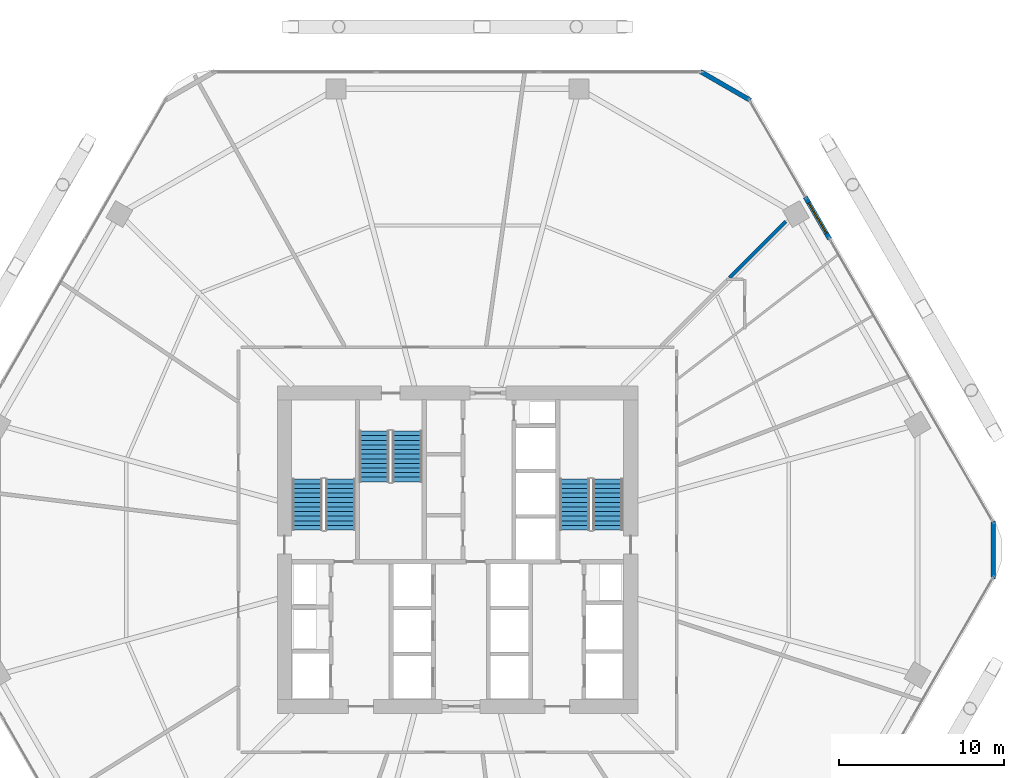
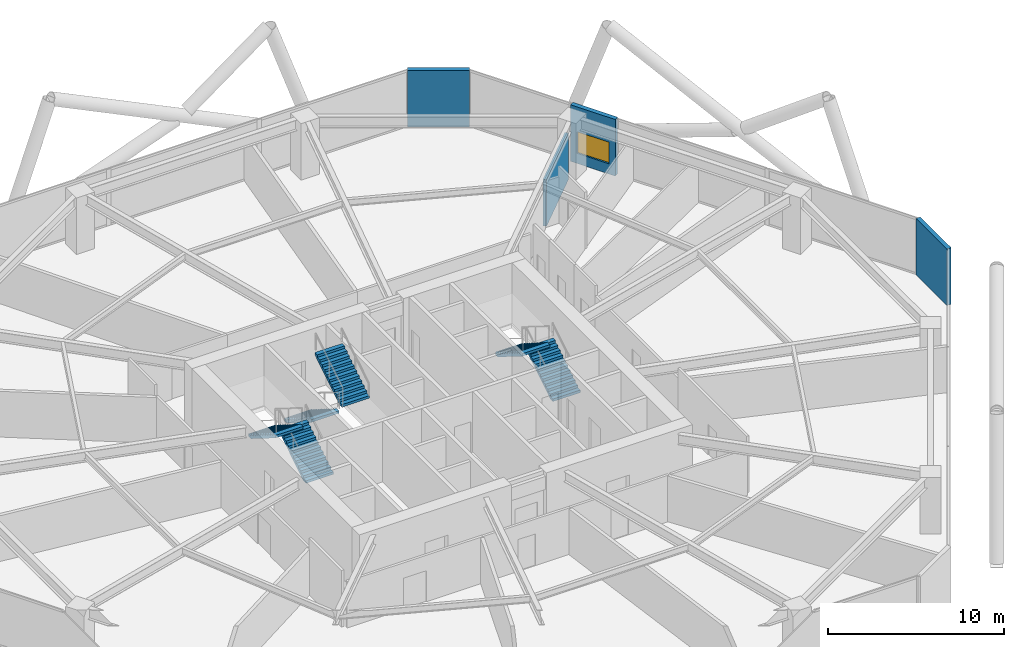
# One storey, part 27 of 28: 6 stair flights, 4 walls, 1 window, 1 opening, 3 elements without a shape of their own.
"""IFC4 building model written with IfcOpenShell, lengths in metres."""

from ifc_helpers import new_model, si_unit, direction, frame, frame_2d, origin, place, context, subcontext, project, spatial, polyline, rectangle, outline, extrude, material, layer, layer_set, type_object, element, fill, aggregate, save


model = new_model("IFC4")

# Units and contexts
model_context = context("Model", 3, precision=1e-05, world=origin(), true_north=direction((0.0, 1.0)))
body_context = subcontext(model_context, "Body", "Model", "MODEL_VIEW")
ifc_project = project(units=[si_unit("LENGTHUNIT", "METRE"), si_unit("AREAUNIT", "SQUARE_METRE"), si_unit("VOLUMEUNIT", "CUBIC_METRE"), si_unit("PLANEANGLEUNIT", "RADIAN"), si_unit("MASSUNIT", "GRAM", prefix="KILO")], contexts=[model_context])

# Site, building, storey
site_placement = place(None, origin())
site = spatial("IfcSite", under=ifc_project, at=site_placement, CompositionType="ELEMENT")
building_placement = place(site_placement, origin())
building = spatial("IfcBuilding", under=site, at=building_placement, Name="Zuhravey Tower", CompositionType="ELEMENT")
storey_placement = place(building_placement, frame((0.0, 0.0, 24.60009765625)))
storey = spatial("IfcBuildingStorey", under=building, at=storey_placement, Name="L06", CompositionType="ELEMENT", Elevation=24.60009765625)

# Wall
ifc_material_1 = material(Name="Precast concrete C40/50", Category="concrete")
ifc_layer_1 = layer(ifc_material_1, 0.280029296875)
ifc_layer_set_1 = layer_set([ifc_layer_1], Name="Precast concrete C40/50")
wall_type_1 = type_object("IfcWallType", Name="Crown Architectural Wall 280", PredefinedType="SOLIDWALL", material=ifc_layer_set_1)
wall_1_placement = place(storey_placement, frame((50.71728515625, 61.006103515625, 0.0), z_axis=(0.0, 0.0, 1.0), x_axis=(0.866007452331, -0.500031091541, 0.0)))
element("IfcWall", 1, at=wall_1_placement, inside=storey, type_object=wall_type_1, Name="L06 Rounded Corner Closure Wall EW28-10", PredefinedType="SOLIDWALL", context=body_context, shape_type="SweptSolid", body=[
    extrude(rectangle(XDim=3.514892578125, YDim=0.280029296875, at=frame_2d((1.75732421875, 0.0))), origin(), (0.0, 0.0, 1.0), 3.919921875),
])

# Wall, opening, window
wall_2_placement = place(storey_placement, frame((57.087890625, 53.3916015625, 0.0), z_axis=(0.0, 0.0, 1.0), x_axis=(0.500024377727, -0.866011328839, 0.0)))
wall_2 = element("IfcWall", 2, at=wall_2_placement, inside=storey, type_object=wall_type_1, Name="L06 Face 1 Facade Pier EW28-1", PredefinedType="SOLIDWALL", context=body_context, shape_type="SweptSolid", body=[
    extrude(rectangle(XDim=2.939697265625, YDim=0.280029296875, at=frame_2d((1.4697265625, 0.0))), origin(), (0.0, 0.0, 1.0), 3.919921875),
])
opening_placement = place(wall_2_placement, frame((0.419921875, 0.0, 0.699951171875)))
opening = element("IfcOpeningElement", 3, at=opening_placement, cuts=wall_2, Name="Opening WN3", PredefinedType="OPENING", context=body_context, shape_type="SweptSolid", body=[
    extrude(rectangle(XDim=2.10009765625, YDim=1.5, at=frame_2d((1.050048828125, 0.75))), frame((0.0, 0.152099609375, 0.0), z_axis=(0.0, -1.0, 0.0), x_axis=(1.0, 0.0, 0.0)), (0.0, 0.0, 1.0), 0.303955078125),
])
ifc_material_2 = material(Name="Thermally broken aluminium and triple low-E glass", Category="aluminium")
window_type = type_object("IfcWindowType", Name="School Pavilion Window 2100x1500", PartitioningType="SINGLE_PANEL", PredefinedType="WINDOW", material=ifc_material_2)
window_placement = place(opening_placement, origin())
window = element("IfcWindow", 4, at=window_placement, inside=storey, type_object=window_type, Name="L06 Face 1 Feature Window", OverallHeight=1.5, OverallWidth=2.10009765625, PartitioningType="SINGLE_PANEL", PredefinedType="WINDOW", context=body_context, shape_type="SweptSolid", body=[
    extrude(rectangle(XDim=2.10009765625, YDim=1.5, at=frame_2d((1.050048828125, 0.75))), frame((0.0, 0.030029296875, 0.0), z_axis=(0.0, -1.0, 0.0), x_axis=(1.0, 0.0, 0.0)), (0.0, 0.0, 1.0), 0.06005859375),
])
fill(opening, window)

# Walls
wall_3_placement = place(storey_placement, frame((68.478515625, 33.757568359375, 0.0), z_axis=(0.0, 0.0, 1.0), x_axis=(0.0, -1.0, 0.0)))
element("IfcWall", 5, at=wall_3_placement, inside=storey, type_object=wall_type_1, Name="L06 Rounded Corner Closure Wall EW28-12", PredefinedType="SOLIDWALL", context=body_context, shape_type="SweptSolid", body=[
    extrude(rectangle(XDim=3.51513671875, YDim=0.280029296875, at=frame_2d((1.757568359375, 0.0))), origin(), (0.0, 0.0, 1.0), 3.919921875),
])
ifc_material_3 = material(Name="Gypsum acoustic stud assembly")
ifc_layer_2 = layer(ifc_material_3, 0.219970703125)
ifc_layer_set_2 = layer_set([ifc_layer_2], Name="Gypsum acoustic stud assembly")
wall_type_2 = type_object("IfcWallType", Name="School Acoustic Compartment Wall 220", PredefinedType="PARTITIONING", material=ifc_layer_set_2)
wall_4_placement = place(storey_placement, frame((52.492919921875, 48.492919921875, 0.0), z_axis=(0.0, 0.0, 1.0), x_axis=(0.707106781187, 0.707106781187, 0.0)))
element("IfcWall", 6, at=wall_4_placement, inside=storey, type_object=wall_type_2, Name="L06 IW22 Partition 049", PredefinedType="PARTITIONING", context=body_context, shape_type="SweptSolid", body=[
    extrude(rectangle(XDim=4.81689453125, YDim=0.219970703125, at=frame_2d((2.408447265625, 0.0))), origin(), (0.0, 0.0, 1.0), 3.219970703125),
])

# Stair, stair flights
ifc_material_4 = material(Name="Concrete C40/50", Category="concrete")
stair_type = type_object("IfcStairType", Name="School Storey Stair Assembly 4200", PredefinedType="HALF_TURN_STAIR", material=ifc_material_4)
stair_1_placement = place(storey_placement, origin())
stair_1 = element("IfcStair", 7, at=stair_1_placement, inside=storey, type_object=stair_type, Name="L06 Core Exit Stair ST1", PredefinedType="HALF_TURN_STAIR")
stair_flight_type = type_object("IfcStairFlightType", Name="School Storey Stair Flight 4200", PredefinedType="STRAIGHT", material=ifc_material_4)
stair_flight_1_placement = place(storey_placement, frame((28.89990234375, 33.199951171875, 0.0), z_axis=(0.0, 0.0, 1.0), x_axis=(0.0, 1.0, 0.0)))
stair_flight_1 = element("IfcStairFlight", 8, at=stair_flight_1_placement, type_object=stair_flight_type, Name="ST1 flight 1", NumberOfRisers=12, NumberOfTreads=11, PredefinedType="STRAIGHT", RiserHeight=0.175, TreadLength=0.28, context=body_context, shape_type="SweptSolid", body=[
    extrude(outline(polyline([(0.0, 0.0), (0.0, 0.175048828125), (0.280029296875, 0.175048828125), (0.280029296875, 0.35009765625), (0.56005859375, 0.35009765625), (0.56005859375, 0.52490234375), (0.840087890625, 0.52490234375), (0.840087890625, 0.699951171875), (1.1201171875, 0.699951171875), (1.1201171875, 0.875), (1.39990234375, 0.875), (1.39990234375, 1.050048828125), (1.679931640625, 1.050048828125), (1.679931640625, 1.22509765625), (1.9599609375, 1.22509765625), (1.9599609375, 1.39990234375), (2.239990234375, 1.39990234375), (2.239990234375, 1.574951171875), (2.52001953125, 1.574951171875), (2.52001953125, 1.75), (2.800048828125, 1.75), (2.800048828125, 1.925048828125), (3.080078125, 1.925048828125), (3.080078125, 2.10009765625), (3.080078125, 1.748291015625), (0.28271484375, 0.0), (0.0, 0.0)])), frame((0.0, 0.89990234375, 0.0), z_axis=(0.0, -1.0, 0.0), x_axis=(1.0, 0.0, 0.0)), (0.0, 0.0, 1.0), 1.800048828125),
])
stair_flight_2_placement = place(storey_placement, frame((26.89990234375, 36.280029296875, 2.099853515625), z_axis=(0.0, 0.0, 1.0), x_axis=(0.0, -1.0, 0.0)))
stair_flight_2 = element("IfcStairFlight", 9, at=stair_flight_2_placement, type_object=stair_flight_type, Name="ST1 flight 2", NumberOfRisers=12, NumberOfTreads=11, PredefinedType="STRAIGHT", RiserHeight=0.175, TreadLength=0.28, context=body_context, shape_type="SweptSolid", body=[
    extrude(outline(polyline([(0.0, 0.0), (0.0, 0.175048828125), (0.280029296875, 0.175048828125), (0.280029296875, 0.35009765625), (0.56005859375, 0.35009765625), (0.56005859375, 0.52490234375), (0.840087890625, 0.52490234375), (0.840087890625, 0.699951171875), (1.1201171875, 0.699951171875), (1.1201171875, 0.875), (1.39990234375, 0.875), (1.39990234375, 1.050048828125), (1.679931640625, 1.050048828125), (1.679931640625, 1.22509765625), (1.9599609375, 1.22509765625), (1.9599609375, 1.39990234375), (2.239990234375, 1.39990234375), (2.239990234375, 1.574951171875), (2.52001953125, 1.574951171875), (2.52001953125, 1.75), (2.800048828125, 1.75), (2.800048828125, 1.925048828125), (3.080078125, 1.925048828125), (3.080078125, 2.10009765625), (3.080078125, 1.748291015625), (0.28271484375, 0.0), (0.0, 0.0)])), frame((0.0, 0.89990234375, 0.0), z_axis=(0.0, -1.0, 0.0), x_axis=(1.0, 0.0, 0.0)), (0.0, 0.0, 1.0), 1.800048828125),
])
aggregate(stair_1, [stair_flight_1, stair_flight_2])

stair_2_placement = place(storey_placement, origin())
stair_2 = element("IfcStair", 10, at=stair_2_placement, inside=storey, type_object=stair_type, Name="L06 Core Exit Stair ST2", PredefinedType="HALF_TURN_STAIR")
stair_flight_3_placement = place(storey_placement, frame((45.10009765625, 33.199951171875, 0.0), z_axis=(0.0, 0.0, 1.0), x_axis=(0.0, 1.0, 0.0)))
stair_flight_3 = element("IfcStairFlight", 11, at=stair_flight_3_placement, type_object=stair_flight_type, Name="ST2 flight 1", NumberOfRisers=12, NumberOfTreads=11, PredefinedType="STRAIGHT", RiserHeight=0.175, TreadLength=0.28, context=body_context, shape_type="SweptSolid", body=[
    extrude(outline(polyline([(0.0, 0.0), (0.0, 0.175048828125), (0.280029296875, 0.175048828125), (0.280029296875, 0.35009765625), (0.56005859375, 0.35009765625), (0.56005859375, 0.52490234375), (0.840087890625, 0.52490234375), (0.840087890625, 0.699951171875), (1.1201171875, 0.699951171875), (1.1201171875, 0.875), (1.39990234375, 0.875), (1.39990234375, 1.050048828125), (1.679931640625, 1.050048828125), (1.679931640625, 1.22509765625), (1.9599609375, 1.22509765625), (1.9599609375, 1.39990234375), (2.239990234375, 1.39990234375), (2.239990234375, 1.574951171875), (2.52001953125, 1.574951171875), (2.52001953125, 1.75), (2.800048828125, 1.75), (2.800048828125, 1.925048828125), (3.080078125, 1.925048828125), (3.080078125, 2.10009765625), (3.080078125, 1.748291015625), (0.28271484375, 0.0), (0.0, 0.0)])), frame((0.0, 0.89990234375, 0.0), z_axis=(0.0, -1.0, 0.0), x_axis=(1.0, 0.0, 0.0)), (0.0, 0.0, 1.0), 1.800048828125),
])
stair_flight_4_placement = place(storey_placement, frame((43.10009765625, 36.280029296875, 2.099853515625), z_axis=(0.0, 0.0, 1.0), x_axis=(0.0, -1.0, 0.0)))
stair_flight_4 = element("IfcStairFlight", 12, at=stair_flight_4_placement, type_object=stair_flight_type, Name="ST2 flight 2", NumberOfRisers=12, NumberOfTreads=11, PredefinedType="STRAIGHT", RiserHeight=0.175, TreadLength=0.28, context=body_context, shape_type="SweptSolid", body=[
    extrude(outline(polyline([(0.0, 0.0), (0.0, 0.175048828125), (0.280029296875, 0.175048828125), (0.280029296875, 0.35009765625), (0.56005859375, 0.35009765625), (0.56005859375, 0.52490234375), (0.840087890625, 0.52490234375), (0.840087890625, 0.699951171875), (1.1201171875, 0.699951171875), (1.1201171875, 0.875), (1.39990234375, 0.875), (1.39990234375, 1.050048828125), (1.679931640625, 1.050048828125), (1.679931640625, 1.22509765625), (1.9599609375, 1.22509765625), (1.9599609375, 1.39990234375), (2.239990234375, 1.39990234375), (2.239990234375, 1.574951171875), (2.52001953125, 1.574951171875), (2.52001953125, 1.75), (2.800048828125, 1.75), (2.800048828125, 1.925048828125), (3.080078125, 1.925048828125), (3.080078125, 2.10009765625), (3.080078125, 1.748291015625), (0.28271484375, 0.0), (0.0, 0.0)])), frame((0.0, 0.89990234375, 0.0), z_axis=(0.0, -1.0, 0.0), x_axis=(1.0, 0.0, 0.0)), (0.0, 0.0, 1.0), 1.800048828125),
])
aggregate(stair_2, [stair_flight_3, stair_flight_4])

stair_3_placement = place(storey_placement, origin())
stair_3 = element("IfcStair", 13, at=stair_3_placement, inside=storey, type_object=stair_type, Name="L06 Core Exit Stair ST3", PredefinedType="HALF_TURN_STAIR")
stair_flight_5_placement = place(storey_placement, frame((30.949951171875, 39.199951171875, 0.0), z_axis=(0.0, 0.0, 1.0), x_axis=(0.0, -1.0, 0.0)))
stair_flight_5 = element("IfcStairFlight", 14, at=stair_flight_5_placement, type_object=stair_flight_type, Name="ST3 flight 1", NumberOfRisers=12, NumberOfTreads=11, PredefinedType="STRAIGHT", RiserHeight=0.175, TreadLength=0.28, context=body_context, shape_type="SweptSolid", body=[
    extrude(outline(polyline([(0.0, 0.0), (0.0, 0.175048828125), (0.280029296875, 0.175048828125), (0.280029296875, 0.35009765625), (0.56005859375, 0.35009765625), (0.56005859375, 0.52490234375), (0.840087890625, 0.52490234375), (0.840087890625, 0.699951171875), (1.1201171875, 0.699951171875), (1.1201171875, 0.875), (1.39990234375, 0.875), (1.39990234375, 1.050048828125), (1.679931640625, 1.050048828125), (1.679931640625, 1.22509765625), (1.9599609375, 1.22509765625), (1.9599609375, 1.39990234375), (2.239990234375, 1.39990234375), (2.239990234375, 1.574951171875), (2.52001953125, 1.574951171875), (2.52001953125, 1.75), (2.800048828125, 1.75), (2.800048828125, 1.925048828125), (3.080078125, 1.925048828125), (3.080078125, 2.10009765625), (3.080078125, 1.748291015625), (0.28271484375, 0.0), (0.0, 0.0)])), frame((0.0, 0.89990234375, 0.0), z_axis=(0.0, -1.0, 0.0), x_axis=(1.0, 0.0, 0.0)), (0.0, 0.0, 1.0), 1.800048828125),
])
stair_flight_6_placement = place(storey_placement, frame((32.949951171875, 36.1201171875, 2.099853515625), z_axis=(0.0, 0.0, 1.0), x_axis=(0.0, 1.0, 0.0)))
stair_flight_6 = element("IfcStairFlight", 15, at=stair_flight_6_placement, type_object=stair_flight_type, Name="ST3 flight 2", NumberOfRisers=12, NumberOfTreads=11, PredefinedType="STRAIGHT", RiserHeight=0.175, TreadLength=0.28, context=body_context, shape_type="SweptSolid", body=[
    extrude(outline(polyline([(0.0, 0.0), (0.0, 0.175048828125), (0.280029296875, 0.175048828125), (0.280029296875, 0.35009765625), (0.56005859375, 0.35009765625), (0.56005859375, 0.52490234375), (0.840087890625, 0.52490234375), (0.840087890625, 0.699951171875), (1.1201171875, 0.699951171875), (1.1201171875, 0.875), (1.39990234375, 0.875), (1.39990234375, 1.050048828125), (1.679931640625, 1.050048828125), (1.679931640625, 1.22509765625), (1.9599609375, 1.22509765625), (1.9599609375, 1.39990234375), (2.239990234375, 1.39990234375), (2.239990234375, 1.574951171875), (2.52001953125, 1.574951171875), (2.52001953125, 1.75), (2.800048828125, 1.75), (2.800048828125, 1.925048828125), (3.080078125, 1.925048828125), (3.080078125, 2.10009765625), (3.080078125, 1.748291015625), (0.28271484375, 0.0), (0.0, 0.0)])), frame((0.0, 0.89990234375, 0.0), z_axis=(0.0, -1.0, 0.0), x_axis=(1.0, 0.0, 0.0)), (0.0, 0.0, 1.0), 1.800048828125),
])
aggregate(stair_3, [stair_flight_5, stair_flight_6])

save(model, "model.ifc")
